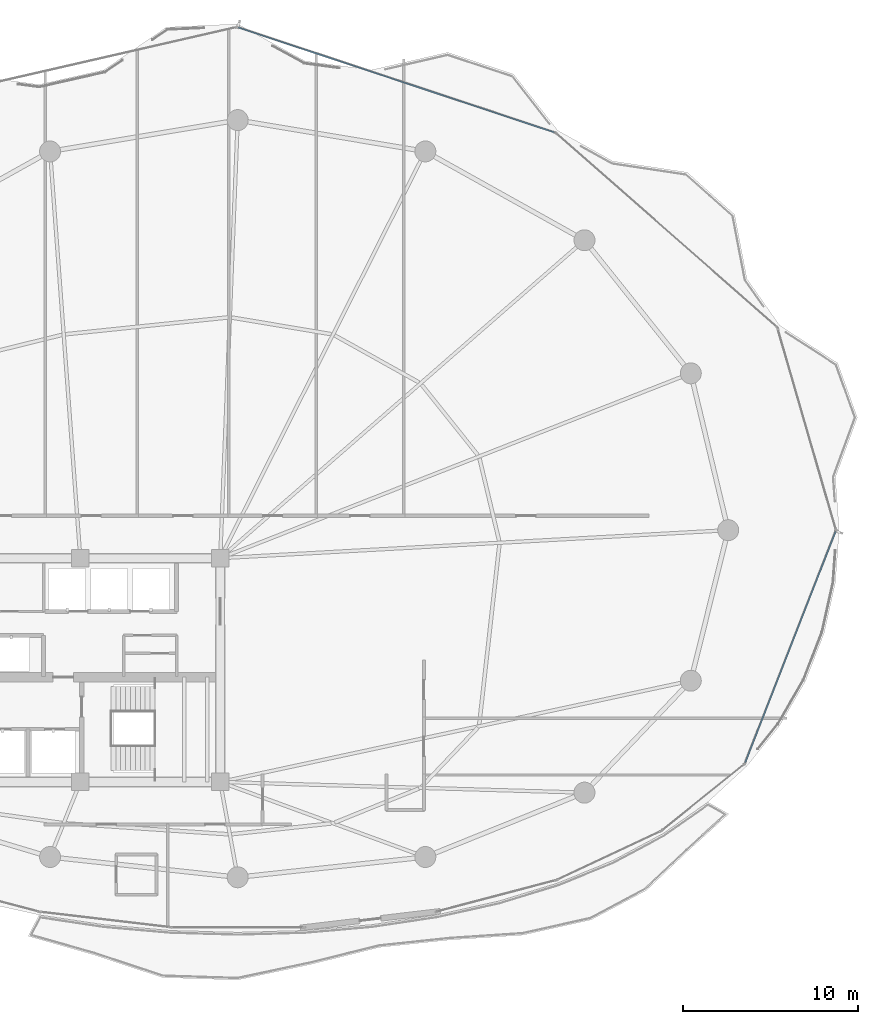
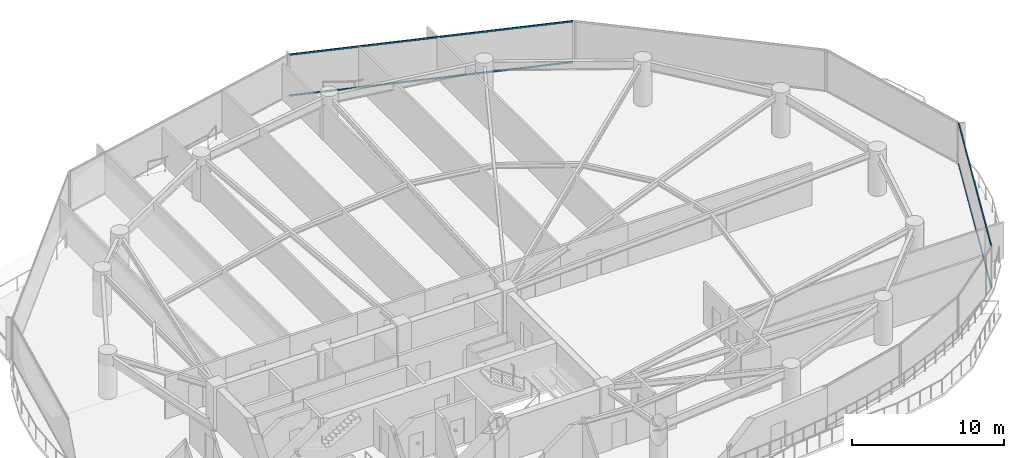
# One storey, part 23 of 34: 4 members, 2 elements without a shape of their own.
"""IFC4 building model written with IfcOpenShell, lengths in metres."""

from ifc_helpers import new_model, si_unit, direction, frame, origin, origin_2d, place, context, subcontext, project, spatial, hollow_rectangle, extrude, material, layer, layer_set, material_profile, profile_set, type_object, element, aggregate, save


model = new_model("IFC4")

# Units and contexts
model_context = context("Model", 3, precision=1e-05, world=origin(), true_north=direction((0.0, 1.0)))
body_context = subcontext(model_context, "Body", "Model", "MODEL_VIEW")
ifc_project = project(units=[si_unit("LENGTHUNIT", "METRE"), si_unit("AREAUNIT", "SQUARE_METRE"), si_unit("VOLUMEUNIT", "CUBIC_METRE"), si_unit("PLANEANGLEUNIT", "RADIAN"), si_unit("MASSUNIT", "GRAM", prefix="KILO")], contexts=[model_context])

# Site, building, storey
site_placement = place(None, origin())
site = spatial("IfcSite", under=ifc_project, at=site_placement, CompositionType="ELEMENT")
building_placement = place(site_placement, origin())
building = spatial("IfcBuilding", under=site, at=building_placement, Name="Kazevale Care Tower and Concert Hall", CompositionType="ELEMENT")
storey_placement = place(building_placement, frame((0.0, 0.0, 156.60009765625)))
storey = spatial("IfcBuildingStorey", under=building, at=storey_placement, Name="L41", CompositionType="ELEMENT", Elevation=156.60009765625)

# Curtain wall, members
ifc_material_1 = material(Name="Aluminium 6063-T6 and Low-E Glass", Category="aluminium")
ifc_layer_1 = layer(ifc_material_1, 0.179931640625)
ifc_layer_set_1 = layer_set([ifc_layer_1], Name="Aluminium 6063-T6 and Low-E Glass")
curtain_wall_type_1 = type_object("IfcCurtainWallType", Name="Convex Checkerboard Finned Curtain Wall CW-2", PredefinedType="NOTDEFINED", material=ifc_layer_set_1)
curtain_wall_1_placement = place(storey_placement, origin())
curtain_wall_1 = element("IfcCurtainWall", 1, at=curtain_wall_1_placement, inside=storey, type_object=curtain_wall_type_1, Name="cw:L41:f16", PredefinedType="NOTDEFINED")
ifc_material_2 = material(Name="Aluminium 6063-T6", Category="aluminium")
ifc_material_profile_1 = material_profile(ifc_material_2, hollow_rectangle(XDim=0.074951171875, YDim=0.1201171875, WallThickness=0.00390625, at=origin_2d()), Name="ALU75x120x4")
ifc_profile_set_1 = profile_set([ifc_material_profile_1], Name="Aluminium 6063-T6")
member_type_1 = type_object("IfcMemberType", Name="CW-2 Transom ALU75x120x4", PredefinedType="USERDEFINED", material=ifc_profile_set_1)
member_1_placement = place(storey_placement, frame((45.033935546875, 66.742919921875, 0.037353515625), z_axis=(0.949132363683, -0.314877366938, 0.0), x_axis=(0.314877366938, 0.949132363683, 0.0)))
member_1 = element("IfcMember", 2, at=member_1_placement, type_object=member_type_1, Name="CW-2 transom 1.1", ObjectType="TRANSOM", PredefinedType="USERDEFINED", context=body_context, shape_type="SweptSolid", body=[
    extrude(hollow_rectangle(XDim=0.074951171875, YDim=0.1201171875, WallThickness=0.00390625, at=origin_2d()), origin(), (0.0, 0.0, 1.0), 19.041748046875),
])
member_2_placement = place(storey_placement, frame((45.033935546875, 66.742919921875, 3.322509765625), z_axis=(0.949132363683, -0.314877366938, 0.0), x_axis=(0.314877366938, 0.949132363683, 0.0)))
member_2 = element("IfcMember", 3, at=member_2_placement, type_object=member_type_1, Name="CW-2 transom 1.2", ObjectType="TRANSOM", PredefinedType="USERDEFINED", context=body_context, shape_type="SweptSolid", body=[
    extrude(hollow_rectangle(XDim=0.074951171875, YDim=0.1201171875, WallThickness=0.00390625, at=origin_2d()), origin(), (0.0, 0.0, 1.0), 19.041748046875),
])
aggregate(curtain_wall_1, [member_1, member_2])

ifc_layer_2 = layer(ifc_material_1, 0.179931640625)
ifc_layer_set_2 = layer_set([ifc_layer_2], Name="Aluminium 6063-T6 and Low-E Glass")
curtain_wall_type_2 = type_object("IfcCurtainWallType", Name="Waist & Upper Residential Curtain Wall CW-4", PredefinedType="NOTDEFINED", material=ifc_layer_set_2)
curtain_wall_2_placement = place(storey_placement, origin())
curtain_wall_2 = element("IfcCurtainWall", 4, at=curtain_wall_2_placement, inside=storey, type_object=curtain_wall_type_2, Name="cw:L41:f01", PredefinedType="NOTDEFINED")
ifc_material_profile_2 = material_profile(ifc_material_2, hollow_rectangle(XDim=0.080078125, YDim=0.139892578125, WallThickness=0.00390625, at=origin_2d()), Name="ALU80x140x4")
ifc_profile_set_2 = profile_set([ifc_material_profile_2], Name="Aluminium 6063-T6")
member_type_2 = type_object("IfcMemberType", Name="CW-4 Transom ALU80x140x4", PredefinedType="USERDEFINED", material=ifc_profile_set_2)
member_3_placement = place(storey_placement, frame((79.19091796875, 37.925537109375, 0.039794921875), z_axis=(-0.364119027629, -0.931352421868, 0.0), x_axis=(0.931352421868, -0.364119027629, 0.0)))
member_3 = element("IfcMember", 5, at=member_3_placement, type_object=member_type_2, Name="CW-4 transom 1.1", ObjectType="TRANSOM", PredefinedType="USERDEFINED", context=body_context, shape_type="SweptSolid", body=[
    extrude(hollow_rectangle(XDim=0.080078125, YDim=0.139892578125, WallThickness=0.00390625, at=origin_2d()), origin(), (0.0, 0.0, 1.0), 14.18701171875),
])
member_4_placement = place(storey_placement, frame((79.19091796875, 37.925537109375, 3.31982421875), z_axis=(-0.364119027629, -0.931352421868, 0.0), x_axis=(0.931352421868, -0.364119027629, 0.0)))
member_4 = element("IfcMember", 6, at=member_4_placement, type_object=member_type_2, Name="CW-4 transom 1.2", ObjectType="TRANSOM", PredefinedType="USERDEFINED", context=body_context, shape_type="SweptSolid", body=[
    extrude(hollow_rectangle(XDim=0.080078125, YDim=0.139892578125, WallThickness=0.00390625, at=origin_2d()), origin(), (0.0, 0.0, 1.0), 14.18701171875),
])
aggregate(curtain_wall_2, [member_3, member_4])

save(model, "model.ifc")
